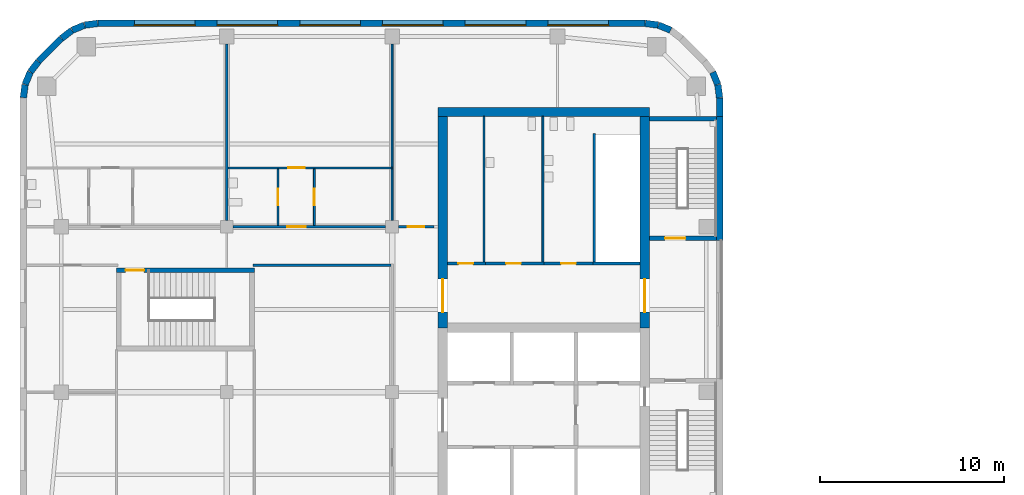
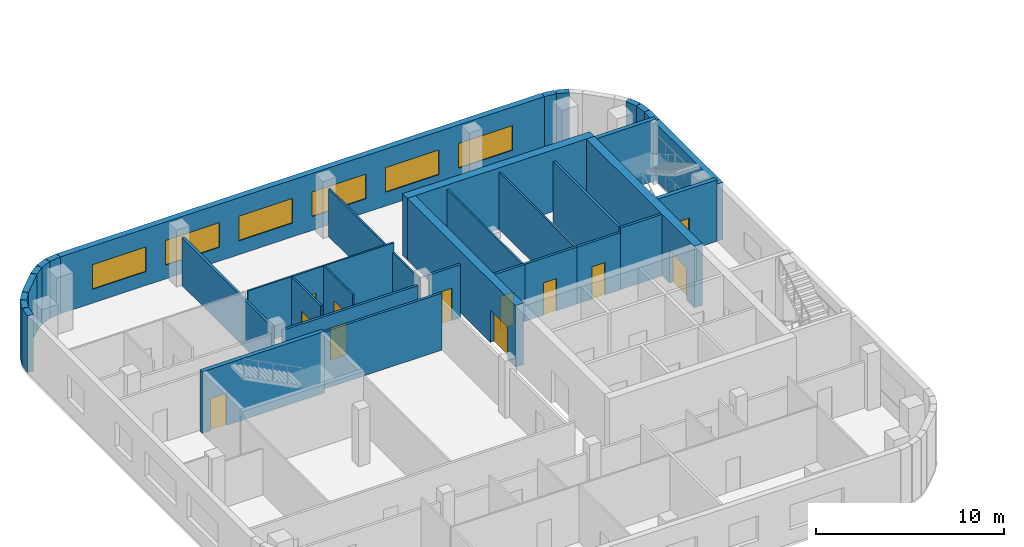
# One storey, part 7 of 15: 36 walls, 12 doors, 6 windows, 18 openings.
"""IFC4 building model written with IfcOpenShell, lengths in metres."""

from ifc_helpers import new_model, si_unit, direction, frame, frame_2d, origin, place, context, subcontext, project, spatial, rectangle, extrude, material, layer, layer_set, type_object, element, fill, save


model = new_model("IFC4")

# Units and contexts
model_context = context("Model", 3, precision=1e-05, world=origin(), true_north=direction((0.0, 1.0)))
body_context = subcontext(model_context, "Body", "Model", "MODEL_VIEW")
ifc_project = project(units=[si_unit("LENGTHUNIT", "METRE"), si_unit("AREAUNIT", "SQUARE_METRE"), si_unit("VOLUMEUNIT", "CUBIC_METRE"), si_unit("PLANEANGLEUNIT", "RADIAN"), si_unit("MASSUNIT", "GRAM", prefix="KILO")], contexts=[model_context])

# Site, building, storey
site_placement = place(None, origin())
site = spatial("IfcSite", under=ifc_project, at=site_placement, CompositionType="ELEMENT")
building_placement = place(site_placement, origin())
building = spatial("IfcBuilding", under=site, at=building_placement, Name="Cinnabar Reach Civic Tower", CompositionType="ELEMENT")
storey_placement = place(building_placement, frame((0.0, 0.0, 91.0)))
storey = spatial("IfcBuildingStorey", under=building, at=storey_placement, Name="L21", CompositionType="ELEMENT", Elevation=91.0)

# Walls
ifc_material_1 = material(Name="Facing brick with insulated backing", Category="masonry")
ifc_layer_1 = layer(ifc_material_1, 0.36)
ifc_layer_set_1 = layer_set([ifc_layer_1], Name="Brick corner wall")
wall_type_1 = type_object("IfcWallType", Name="Brick corner wall", PredefinedType="STANDARD", material=ifc_layer_set_1)
for number, where, z_axis, x_axis, name in (
    (1, (-27.183, 43.0186, 0.0), (0.0, 0.0, 1.0), (-0.13055608231, 0.99144092581, 0.0), "Brick corner wall"),
    (2, (-27.2819, 43.7473, 0.0), (0.0, 0.0, 1.0), (-0.382702709855, 0.923871547278, 0.0), "Brick corner wall"),
    (3, (-29.8439, 46.6952, 0.0), (0.0, 0.0, 1.0), (-0.923871547278, 0.382702709855, 0.0), "Brick corner wall"),
    (4, (-30.5244, 46.9739, 0.0), (0.0, 0.0, 1.0), (-0.99144092581, 0.13055608231, 0.0), "Brick corner wall"),
    (5, (-61.0186, 47.067, 0.0), (0.0, 0.0, 1.0), (-0.99144092581, -0.13055608231, 0.0), "Brick corner wall"),
    (6, (-61.7473, 46.9681, 0.0), (0.0, 0.0, 1.0), (-0.923871547278, -0.382702709855, 0.0), "Brick corner wall"),
):
    element("IfcWall", number, at=place(storey_placement, frame(where, z_axis=z_axis, x_axis=x_axis)), inside=storey, type_object=wall_type_1, Name=name, PredefinedType="STANDARD", context=body_context, shape_type="SweptSolid", body=[
        extrude(rectangle(XDim=0.7131, YDim=0.36, at=frame_2d((0.3565, 0.0))), origin(), (0.0, 0.0, 1.0), 3.7),
    ])
for number, where, z_axis, x_axis, name in (
    (7, (-62.4255, 46.684, 0.0), (0.0, 0.0, 1.0), (-0.793321924995, -0.608802368033, 0.0), "Brick corner wall"),
    (8, (-64.2498, 44.9913, 0.0), (0.0, 0.0, 1.0), (-0.608802368033, -0.793321924995, 0.0), "Brick corner wall"),
):
    element("IfcWall", number, at=place(storey_placement, frame(where, z_axis=z_axis, x_axis=x_axis)), inside=storey, type_object=wall_type_1, Name=name, PredefinedType="STANDARD", context=body_context, shape_type="SweptSolid", body=[
        extrude(rectangle(XDim=0.7132, YDim=0.36, at=frame_2d((0.3566, 0.0))), origin(), (0.0, 0.0, 1.0), 3.7),
    ])
for number, where, z_axis, x_axis, name in (
    (9, (-64.6952, 44.4061, 0.0), (0.0, 0.0, 1.0), (-0.382702709855, -0.923871547278, 0.0), "Brick corner wall"),
    (10, (-64.9739, 43.7256, 0.0), (0.0, 0.0, 1.0), (-0.13055608231, -0.99144092581, 0.0), "Brick corner wall"),
):
    element("IfcWall", number, at=place(storey_placement, frame(where, z_axis=z_axis, x_axis=x_axis)), inside=storey, type_object=wall_type_1, Name=name, PredefinedType="STANDARD", context=body_context, shape_type="SweptSolid", body=[
        extrude(rectangle(XDim=0.7131, YDim=0.36, at=frame_2d((0.3565, 0.0))), origin(), (0.0, 0.0, 1.0), 3.7),
    ])
ifc_layer_2 = layer(ifc_material_1, 0.36)
ifc_layer_set_2 = layer_set([ifc_layer_2], Name="Brick pier and spandrel wall")
wall_type_2 = type_object("IfcWallType", Name="Brick pier and spandrel wall", PredefinedType="STANDARD", material=ifc_layer_set_2)
wall_1_placement = place(storey_placement, frame((-27.18, 35.25, 0.0), z_axis=(0.0, 0.0, 1.0), x_axis=(0.0, 1.0, 0.0)))
element("IfcWall", 11, at=wall_1_placement, inside=storey, type_object=wall_type_2, Name="Brick facade wall", PredefinedType="STANDARD", context=body_context, shape_type="SweptSolid", body=[
    extrude(rectangle(XDim=6.75, YDim=0.36, at=frame_2d((3.375, 0.0))), origin(), (0.0, 0.0, 1.0), 3.7),
])
wall_2_placement = place(storey_placement, frame((-27.18, 42.0, 0.0), z_axis=(0.0, 0.0, 1.0), x_axis=(0.0, 1.0, 0.0)))
element("IfcWall", 12, at=wall_2_placement, inside=storey, type_object=wall_type_2, Name="Brick facade wall", PredefinedType="STANDARD", context=body_context, shape_type="SweptSolid", body=[
    extrude(rectangle(XDim=1.0074, YDim=0.36, at=frame_2d((0.5037, 0.0))), origin(), (0.0, 0.0, 1.0), 3.7),
])

# Wall, openings, windows
wall_3_placement = place(storey_placement, frame((-31.2426, 47.07, 0.0), z_axis=(0.0, 0.0, 1.0), x_axis=(-1.0, 0.0, 0.0)))
wall_3 = element("IfcWall", 13, at=wall_3_placement, inside=storey, type_object=wall_type_2, Name="Brick facade wall", PredefinedType="STANDARD", context=body_context, shape_type="SweptSolid", body=[
    extrude(rectangle(XDim=29.7648, YDim=0.36, at=frame_2d((14.8824, 0.0))), origin(), (0.0, 0.0, 1.0), 3.7),
])
opening_1_placement = place(wall_3_placement, frame((1.9824, 0.0, 0.9)))
opening_1 = element("IfcOpeningElement", 14, at=opening_1_placement, cuts=wall_3, Name="Opening W2643", PredefinedType="OPENING", context=body_context, shape_type="SweptSolid", body=[
    extrude(rectangle(XDim=3.3, YDim=1.6, at=frame_2d((1.65, 0.8))), frame((0.0, 0.19, 0.0), z_axis=(0.0, -1.0, 0.0), x_axis=(1.0, 0.0, 0.0)), (0.0, 0.0, 1.0), 0.38),
])
opening_2_placement = place(wall_3_placement, frame((6.4824, 0.0, 0.9)))
opening_2 = element("IfcOpeningElement", 15, at=opening_2_placement, cuts=wall_3, Name="Opening W2644", PredefinedType="OPENING", context=body_context, shape_type="SweptSolid", body=[
    extrude(rectangle(XDim=3.3, YDim=1.6, at=frame_2d((1.65, 0.8))), frame((0.0, 0.19, 0.0), z_axis=(0.0, -1.0, 0.0), x_axis=(1.0, 0.0, 0.0)), (0.0, 0.0, 1.0), 0.38),
])
opening_3_placement = place(wall_3_placement, frame((10.9824, 0.0, 0.9)))
opening_3 = element("IfcOpeningElement", 16, at=opening_3_placement, cuts=wall_3, Name="Opening W2645", PredefinedType="OPENING", context=body_context, shape_type="SweptSolid", body=[
    extrude(rectangle(XDim=3.3, YDim=1.6, at=frame_2d((1.65, 0.8))), frame((0.0, 0.19, 0.0), z_axis=(0.0, -1.0, 0.0), x_axis=(1.0, 0.0, 0.0)), (0.0, 0.0, 1.0), 0.38),
])
opening_4_placement = place(wall_3_placement, frame((15.4824, 0.0, 0.9)))
opening_4 = element("IfcOpeningElement", 17, at=opening_4_placement, cuts=wall_3, Name="Opening W2646", PredefinedType="OPENING", context=body_context, shape_type="SweptSolid", body=[
    extrude(rectangle(XDim=3.3, YDim=1.6, at=frame_2d((1.65, 0.8))), frame((0.0, 0.19, 0.0), z_axis=(0.0, -1.0, 0.0), x_axis=(1.0, 0.0, 0.0)), (0.0, 0.0, 1.0), 0.38),
])
opening_5_placement = place(wall_3_placement, frame((19.9824, 0.0, 0.9)))
opening_5 = element("IfcOpeningElement", 18, at=opening_5_placement, cuts=wall_3, Name="Opening W2647", PredefinedType="OPENING", context=body_context, shape_type="SweptSolid", body=[
    extrude(rectangle(XDim=3.3, YDim=1.6, at=frame_2d((1.65, 0.8))), frame((0.0, 0.19, 0.0), z_axis=(0.0, -1.0, 0.0), x_axis=(1.0, 0.0, 0.0)), (0.0, 0.0, 1.0), 0.38),
])
opening_6_placement = place(wall_3_placement, frame((24.4824, 0.0, 0.9)))
opening_6 = element("IfcOpeningElement", 19, at=opening_6_placement, cuts=wall_3, Name="Opening W2648", PredefinedType="OPENING", context=body_context, shape_type="SweptSolid", body=[
    extrude(rectangle(XDim=3.3, YDim=1.6, at=frame_2d((1.65, 0.8))), frame((0.0, 0.19, 0.0), z_axis=(0.0, -1.0, 0.0), x_axis=(1.0, 0.0, 0.0)), (0.0, 0.0, 1.0), 0.38),
])
ifc_material_2 = material(Name="Clear double glazing in aluminium frame", Category="aluminium")
window_type = type_object("IfcWindowType", Name="Deep-set window A", PartitioningType="SINGLE_PANEL", PredefinedType="WINDOW", material=ifc_material_2)
window_1_placement = place(opening_1_placement, origin())
window_1 = element("IfcWindow", 20, at=window_1_placement, inside=storey, type_object=window_type, Name="Window north face", OverallHeight=1.6, OverallWidth=3.3, PartitioningType="SINGLE_PANEL", PredefinedType="WINDOW", context=body_context, shape_type="SweptSolid", body=[
    extrude(rectangle(XDim=3.3, YDim=1.6, at=frame_2d((1.65, 0.8))), frame((0.0, 0.13, 0.0), z_axis=(0.0, -1.0, 0.0), x_axis=(1.0, 0.0, 0.0)), (0.0, 0.0, 1.0), 0.06),
])
fill(opening_1, window_1)
window_2_placement = place(opening_2_placement, origin())
window_2 = element("IfcWindow", 21, at=window_2_placement, inside=storey, type_object=window_type, Name="Window north face", OverallHeight=1.6, OverallWidth=3.3, PartitioningType="SINGLE_PANEL", PredefinedType="WINDOW", context=body_context, shape_type="SweptSolid", body=[
    extrude(rectangle(XDim=3.3, YDim=1.6, at=frame_2d((1.65, 0.8))), frame((0.0, 0.13, 0.0), z_axis=(0.0, -1.0, 0.0), x_axis=(1.0, 0.0, 0.0)), (0.0, 0.0, 1.0), 0.06),
])
fill(opening_2, window_2)
window_3_placement = place(opening_3_placement, origin())
window_3 = element("IfcWindow", 22, at=window_3_placement, inside=storey, type_object=window_type, Name="Window north face", OverallHeight=1.6, OverallWidth=3.3, PartitioningType="SINGLE_PANEL", PredefinedType="WINDOW", context=body_context, shape_type="SweptSolid", body=[
    extrude(rectangle(XDim=3.3, YDim=1.6, at=frame_2d((1.65, 0.8))), frame((0.0, 0.13, 0.0), z_axis=(0.0, -1.0, 0.0), x_axis=(1.0, 0.0, 0.0)), (0.0, 0.0, 1.0), 0.06),
])
fill(opening_3, window_3)
window_4_placement = place(opening_4_placement, origin())
window_4 = element("IfcWindow", 23, at=window_4_placement, inside=storey, type_object=window_type, Name="Window north face", OverallHeight=1.6, OverallWidth=3.3, PartitioningType="SINGLE_PANEL", PredefinedType="WINDOW", context=body_context, shape_type="SweptSolid", body=[
    extrude(rectangle(XDim=3.3, YDim=1.6, at=frame_2d((1.65, 0.8))), frame((0.0, 0.13, 0.0), z_axis=(0.0, -1.0, 0.0), x_axis=(1.0, 0.0, 0.0)), (0.0, 0.0, 1.0), 0.06),
])
fill(opening_4, window_4)
window_5_placement = place(opening_5_placement, origin())
window_5 = element("IfcWindow", 24, at=window_5_placement, inside=storey, type_object=window_type, Name="Window north face", OverallHeight=1.6, OverallWidth=3.3, PartitioningType="SINGLE_PANEL", PredefinedType="WINDOW", context=body_context, shape_type="SweptSolid", body=[
    extrude(rectangle(XDim=3.3, YDim=1.6, at=frame_2d((1.65, 0.8))), frame((0.0, 0.13, 0.0), z_axis=(0.0, -1.0, 0.0), x_axis=(1.0, 0.0, 0.0)), (0.0, 0.0, 1.0), 0.06),
])
fill(opening_5, window_5)
window_6_placement = place(opening_6_placement, origin())
window_6 = element("IfcWindow", 25, at=window_6_placement, inside=storey, type_object=window_type, Name="Window north face", OverallHeight=1.6, OverallWidth=3.3, PartitioningType="SINGLE_PANEL", PredefinedType="WINDOW", context=body_context, shape_type="SweptSolid", body=[
    extrude(rectangle(XDim=3.3, YDim=1.6, at=frame_2d((1.65, 0.8))), frame((0.0, 0.13, 0.0), z_axis=(0.0, -1.0, 0.0), x_axis=(1.0, 0.0, 0.0)), (0.0, 0.0, 1.0), 0.06),
])
fill(opening_6, window_6)

# Walls
wall_4_placement = place(storey_placement, frame((-63.0014, 46.244, 0.0), z_axis=(0.0, 0.0, 1.0), x_axis=(-0.707106781187, -0.707106781187, 0.0)))
element("IfcWall", 26, at=wall_4_placement, inside=storey, type_object=wall_type_2, Name="Brick facade wall", PredefinedType="STANDARD", context=body_context, shape_type="SweptSolid", body=[
    extrude(rectangle(XDim=1.7573, YDim=0.36, at=frame_2d((0.8787, 0.0))), origin(), (0.0, 0.0, 1.0), 3.7),
])
ifc_material_3 = material(Name="Concrete C60", Category="concrete")
ifc_layer_3 = layer(ifc_material_3, 0.5)
ifc_layer_set_3 = layer_set([ifc_layer_3], Name="Core wall 500 EI 180")
wall_type_3 = type_object("IfcWallType", Name="Core wall 500 EI 180", PredefinedType="SOLIDWALL", material=ifc_layer_set_3)
wall_5_placement = place(storey_placement, frame((-31.0, 42.25, 0.0), z_axis=(0.0, 0.0, 1.0), x_axis=(-1.0, 0.0, 0.0)))
element("IfcWall", 27, at=wall_5_placement, inside=storey, type_object=wall_type_3, Name="Core wall T2 L21 N", PredefinedType="SOLIDWALL", context=body_context, shape_type="SweptSolid", body=[
    extrude(rectangle(XDim=11.5, YDim=0.5, at=frame_2d((5.75, 0.0))), origin(), (0.0, 0.0, 1.0), 4.0),
])

# Wall, opening, door
wall_6_placement = place(storey_placement, frame((-31.25, 30.5, 0.0), z_axis=(0.0, 0.0, 1.0), x_axis=(0.0, 1.0, 0.0)))
wall_6 = element("IfcWall", 28, at=wall_6_placement, inside=storey, type_object=wall_type_3, Name="Core wall T2 L21 E2", PredefinedType="SOLIDWALL", context=body_context, shape_type="SweptSolid", body=[
    extrude(rectangle(XDim=11.5, YDim=0.5, at=frame_2d((5.75, 0.0))), origin(), (0.0, 0.0, 1.0), 4.0),
])
opening_7_placement = place(wall_6_placement, frame((0.85, 0.0, 0.0)))
opening_7 = element("IfcOpeningElement", 29, at=opening_7_placement, cuts=wall_6, Name="Opening D6796", PredefinedType="OPENING", context=body_context, shape_type="SweptSolid", body=[
    extrude(rectangle(XDim=1.8, YDim=2.1, at=frame_2d((0.9, 1.05))), frame((0.0, 0.26, 0.0), z_axis=(0.0, -1.0, 0.0), x_axis=(1.0, 0.0, 0.0)), (0.0, 0.0, 1.0), 0.52),
])
ifc_material_4 = material(Name="Steel fire door", Category="steel")
door_type_1 = type_object("IfcDoorType", Name="T2 Double door 1800", OperationType="DOUBLE_DOOR_SINGLE_SWING", PredefinedType="DOOR", material=ifc_material_4)
door_1_placement = place(opening_7_placement, origin())
door_1 = element("IfcDoor", 30, at=door_1_placement, inside=storey, type_object=door_type_1, Name="T2 Double door D6796", OperationType="DOUBLE_DOOR_SINGLE_SWING", OverallHeight=2.1, OverallWidth=1.8, PredefinedType="DOOR", context=body_context, shape_type="SweptSolid", body=[
    extrude(rectangle(XDim=1.8, YDim=2.1, at=frame_2d((0.9, 1.05))), frame((0.0, 0.025, 0.0), z_axis=(0.0, -1.0, 0.0), x_axis=(1.0, 0.0, 0.0)), (0.0, 0.0, 1.0), 0.05),
])
fill(opening_7, door_1)

wall_7_placement = place(storey_placement, frame((-42.25, 42.0, 0.0), z_axis=(0.0, 0.0, 1.0), x_axis=(0.0, -1.0, 0.0)))
wall_7 = element("IfcWall", 31, at=wall_7_placement, inside=storey, type_object=wall_type_3, Name="Core wall T2 L21 W", PredefinedType="SOLIDWALL", context=body_context, shape_type="SweptSolid", body=[
    extrude(rectangle(XDim=11.5, YDim=0.5, at=frame_2d((5.75, 0.0))), origin(), (0.0, 0.0, 1.0), 4.0),
])
opening_8_placement = place(wall_7_placement, frame((8.85, 0.0, 0.0)))
opening_8 = element("IfcOpeningElement", 32, at=opening_8_placement, cuts=wall_7, Name="Opening D6798", PredefinedType="OPENING", context=body_context, shape_type="SweptSolid", body=[
    extrude(rectangle(XDim=1.8, YDim=2.1, at=frame_2d((0.9, 1.05))), frame((0.0, 0.26, 0.0), z_axis=(0.0, -1.0, 0.0), x_axis=(1.0, 0.0, 0.0)), (0.0, 0.0, 1.0), 0.52),
])
door_2_placement = place(opening_8_placement, frame((1.8, 0.0, 0.0), z_axis=(0.0, 0.0, 1.0), x_axis=(-1.0, 0.0, 0.0)))
door_2 = element("IfcDoor", 33, at=door_2_placement, inside=storey, type_object=door_type_1, Name="T2 Double door D6798", OperationType="DOUBLE_DOOR_SINGLE_SWING", OverallHeight=2.1, OverallWidth=1.8, PredefinedType="DOOR", context=body_context, shape_type="SweptSolid", body=[
    extrude(rectangle(XDim=1.8, YDim=2.1, at=frame_2d((0.9, 1.05))), frame((0.0, 0.025, 0.0), z_axis=(0.0, -1.0, 0.0), x_axis=(1.0, 0.0, 0.0)), (0.0, 0.0, 1.0), 0.05),
])
fill(opening_8, door_2)

ifc_material_5 = material(Name="Gypsum board on steel studs, double layer", Category="steel")
ifc_layer_4 = layer(ifc_material_5, 0.15)
ifc_layer_set_4 = layer_set([ifc_layer_4], Name="Corridor wall 150 T2")
wall_type_4 = type_object("IfcWallType", Name="Corridor wall 150 T2", PredefinedType="PARTITIONING", material=ifc_layer_set_4)
wall_8_placement = place(storey_placement, frame((-44.65, 36.0, 0.0), z_axis=(0.0, 0.0, 1.0), x_axis=(1.0, 0.0, 0.0)))
wall_8 = element("IfcWall", 34, at=wall_8_placement, inside=storey, type_object=wall_type_4, Name="Corridor wall 5", PredefinedType="PARTITIONING", context=body_context, shape_type="SweptSolid", body=[
    extrude(rectangle(XDim=1.925, YDim=0.15, at=frame_2d((0.9625, 0.0))), origin(), (0.0, 0.0, 1.0), 3.452),
])
opening_9_placement = place(wall_8_placement, frame((0.5, 0.0, 0.0)))
opening_9 = element("IfcOpeningElement", 35, at=opening_9_placement, cuts=wall_8, Name="Opening D6802", PredefinedType="OPENING", context=body_context, shape_type="SweptSolid", body=[
    extrude(rectangle(XDim=0.9, YDim=2.1, at=frame_2d((0.45, 1.05))), frame((0.0, 0.085, 0.0), z_axis=(0.0, -1.0, 0.0), x_axis=(1.0, 0.0, 0.0)), (0.0, 0.0, 1.0), 0.17),
])
ifc_material_6 = material(Name="Timber door leaf in steel frame", Category="steel")
door_type_2 = type_object("IfcDoorType", Name="Single swing door 900 x 2100 T2", OperationType="SINGLE_SWING_LEFT", PredefinedType="DOOR", material=ifc_material_6)
door_3_placement = place(opening_9_placement, origin())
door_3 = element("IfcDoor", 36, at=door_3_placement, inside=storey, type_object=door_type_2, Name="Door D6802", OperationType="SINGLE_SWING_LEFT", OverallHeight=2.1, OverallWidth=0.9, PredefinedType="DOOR", context=body_context, shape_type="SweptSolid", body=[
    extrude(rectangle(XDim=0.9, YDim=2.1, at=frame_2d((0.45, 1.05))), frame((0.0, 0.025, 0.0), z_axis=(0.0, -1.0, 0.0), x_axis=(1.0, 0.0, 0.0)), (0.0, 0.0, 1.0), 0.05),
])
fill(opening_9, door_3)

wall_9_placement = place(storey_placement, frame((-53.65, 36.0, 0.0), z_axis=(0.0, 0.0, 1.0), x_axis=(1.0, 0.0, 0.0)))
wall_9 = element("IfcWall", 37, at=wall_9_placement, inside=storey, type_object=wall_type_4, Name="Corridor wall 6", PredefinedType="PARTITIONING", context=body_context, shape_type="SweptSolid", body=[
    extrude(rectangle(XDim=8.3, YDim=0.15, at=frame_2d((4.15, 0.0))), origin(), (0.0, 0.0, 1.0), 3.008),
])
opening_10_placement = place(wall_9_placement, frame((2.94, 0.0, 0.0)))
opening_10 = element("IfcOpeningElement", 38, at=opening_10_placement, cuts=wall_9, Name="Opening D6821", PredefinedType="OPENING", context=body_context, shape_type="SweptSolid", body=[
    extrude(rectangle(XDim=1.0, YDim=2.1, at=frame_2d((0.5, 1.05))), frame((0.0, 0.085, 0.0), z_axis=(0.0, -1.0, 0.0), x_axis=(1.0, 0.0, 0.0)), (0.0, 0.0, 1.0), 0.17),
])
door_type_3 = type_object("IfcDoorType", Name="Tenancy entrance door 1000 x 2100 T2", OperationType="SINGLE_SWING_LEFT", PredefinedType="DOOR", material=ifc_material_6)
door_4_placement = place(opening_10_placement, origin())
door_4 = element("IfcDoor", 39, at=door_4_placement, inside=storey, type_object=door_type_3, Name="Door D6821", OperationType="SINGLE_SWING_RIGHT", OverallHeight=2.1, OverallWidth=1.0, PredefinedType="DOOR", context=body_context, shape_type="SweptSolid", body=[
    extrude(rectangle(XDim=1.0, YDim=2.1, at=frame_2d((0.5, 1.05))), frame((0.0, 0.025, 0.0), z_axis=(0.0, -1.0, 0.0), x_axis=(1.0, 0.0, 0.0)), (0.0, 0.0, 1.0), 0.05),
])
fill(opening_10, door_4)

# Wall
wall_10_placement = place(storey_placement, frame((-52.575, 33.9, 0.0), z_axis=(0.0, 0.0, 1.0), x_axis=(1.0, 0.0, 0.0)))
element("IfcWall", 40, at=wall_10_placement, inside=storey, type_object=wall_type_4, Name="Corridor wall 12", PredefinedType="PARTITIONING", context=body_context, shape_type="SweptSolid", body=[
    extrude(rectangle(XDim=7.5, YDim=0.15, at=frame_2d((3.75, 0.0))), origin(), (0.0, 0.0, 1.0), 3.7),
])

# Wall, opening, door
ifc_material_7 = material(Name="Gypsum board on steel studs", Category="steel")
ifc_layer_5 = layer(ifc_material_7, 0.1)
ifc_layer_set_5 = layer_set([ifc_layer_5], Name="Partition wall 100 T2")
wall_type_5 = type_object("IfcWallType", Name="Partition wall 100 T2", PredefinedType="PARTITIONING", material=ifc_layer_set_5)
wall_11_placement = place(storey_placement, frame((-53.925, 39.2, 0.0), z_axis=(0.0, 0.0, 1.0), x_axis=(1.0, 0.0, 0.0)))
wall_11 = element("IfcWall", 41, at=wall_11_placement, inside=storey, type_object=wall_type_5, Name="Partition wall 18", PredefinedType="PARTITIONING", context=body_context, shape_type="SweptSolid", body=[
    extrude(rectangle(XDim=8.975, YDim=0.1, at=frame_2d((4.4875, 0.0))), origin(), (0.0, 0.0, 1.0), 3.7),
])
opening_11_placement = place(wall_11_placement, frame((3.265, 0.0, 0.0)))
opening_11 = element("IfcOpeningElement", 42, at=opening_11_placement, cuts=wall_11, Name="Opening D6820", PredefinedType="OPENING", context=body_context, shape_type="SweptSolid", body=[
    extrude(rectangle(XDim=0.9, YDim=2.1, at=frame_2d((0.45, 1.05))), frame((0.0, 0.06, 0.0), z_axis=(0.0, -1.0, 0.0), x_axis=(1.0, 0.0, 0.0)), (0.0, 0.0, 1.0), 0.12),
])
door_5_placement = place(opening_11_placement, frame((0.9, 0.0, 0.0), z_axis=(0.0, 0.0, 1.0), x_axis=(-1.0, 0.0, 0.0)))
door_5 = element("IfcDoor", 43, at=door_5_placement, inside=storey, type_object=door_type_2, Name="Door D6820", OperationType="SINGLE_SWING_LEFT", OverallHeight=2.1, OverallWidth=0.9, PredefinedType="DOOR", context=body_context, shape_type="SweptSolid", body=[
    extrude(rectangle(XDim=0.9, YDim=2.1, at=frame_2d((0.45, 1.05))), frame((0.0, 0.025, 0.0), z_axis=(0.0, -1.0, 0.0), x_axis=(1.0, 0.0, 0.0)), (0.0, 0.0, 1.0), 0.05),
])
fill(opening_11, door_5)

# Walls
wall_12_placement = place(storey_placement, frame((-45.0, 39.25, 0.0), z_axis=(0.0, 0.0, 1.0), x_axis=(0.0, 1.0, 0.0)))
element("IfcWall", 44, at=wall_12_placement, inside=storey, type_object=wall_type_5, Name="Partition wall 20", PredefinedType="PARTITIONING", context=body_context, shape_type="SweptSolid", body=[
    extrude(rectangle(XDim=6.7, YDim=0.1, at=frame_2d((3.35, 0.0))), origin(), (0.0, 0.0, 1.0), 3.106),
])
wall_13_placement = place(storey_placement, frame((-45.0, 36.35, 0.0), z_axis=(0.0, 0.0, 1.0), x_axis=(0.0, 1.0, 0.0)))
element("IfcWall", 45, at=wall_13_placement, inside=storey, type_object=wall_type_5, Name="Partition wall 21", PredefinedType="PARTITIONING", context=body_context, shape_type="SweptSolid", body=[
    extrude(rectangle(XDim=2.8, YDim=0.1, at=frame_2d((1.4, 0.0))), origin(), (0.0, 0.0, 1.0), 3.106),
])

# Wall, opening, door
wall_14_placement = place(storey_placement, frame((-51.21, 36.075, 0.0), z_axis=(0.0, 0.0, 1.0), x_axis=(0.0, 1.0, 0.0)))
wall_14 = element("IfcWall", 46, at=wall_14_placement, inside=storey, type_object=wall_type_5, Name="Partition wall 34", PredefinedType="PARTITIONING", context=body_context, shape_type="SweptSolid", body=[
    extrude(rectangle(XDim=3.075, YDim=0.1, at=frame_2d((1.5375, 0.0))), origin(), (0.0, 0.0, 1.0), 3.7),
])
opening_12_placement = place(wall_14_placement, frame((1.1, 0.0, 0.0)))
opening_12 = element("IfcOpeningElement", 47, at=opening_12_placement, cuts=wall_14, Name="Opening D6818", PredefinedType="OPENING", context=body_context, shape_type="SweptSolid", body=[
    extrude(rectangle(XDim=0.9, YDim=2.1, at=frame_2d((0.45, 1.05))), frame((0.0, 0.06, 0.0), z_axis=(0.0, -1.0, 0.0), x_axis=(1.0, 0.0, 0.0)), (0.0, 0.0, 1.0), 0.12),
])
door_6_placement = place(opening_12_placement, origin())
door_6 = element("IfcDoor", 48, at=door_6_placement, inside=storey, type_object=door_type_2, Name="Door D6818", OperationType="SINGLE_SWING_LEFT", OverallHeight=2.1, OverallWidth=0.9, PredefinedType="DOOR", context=body_context, shape_type="SweptSolid", body=[
    extrude(rectangle(XDim=0.9, YDim=2.1, at=frame_2d((0.45, 1.05))), frame((0.0, 0.025, 0.0), z_axis=(0.0, -1.0, 0.0), x_axis=(1.0, 0.0, 0.0)), (0.0, 0.0, 1.0), 0.05),
])
fill(opening_12, door_6)

wall_15_placement = place(storey_placement, frame((-49.23, 36.075, 0.0), z_axis=(0.0, 0.0, 1.0), x_axis=(0.0, 1.0, 0.0)))
wall_15 = element("IfcWall", 49, at=wall_15_placement, inside=storey, type_object=wall_type_5, Name="Partition wall 35", PredefinedType="PARTITIONING", context=body_context, shape_type="SweptSolid", body=[
    extrude(rectangle(XDim=3.075, YDim=0.1, at=frame_2d((1.5375, 0.0))), origin(), (0.0, 0.0, 1.0), 3.7),
])
opening_13_placement = place(wall_15_placement, frame((1.1, 0.0, 0.0)))
opening_13 = element("IfcOpeningElement", 50, at=opening_13_placement, cuts=wall_15, Name="Opening D6819", PredefinedType="OPENING", context=body_context, shape_type="SweptSolid", body=[
    extrude(rectangle(XDim=0.9, YDim=2.1, at=frame_2d((0.45, 1.05))), frame((0.0, 0.06, 0.0), z_axis=(0.0, -1.0, 0.0), x_axis=(1.0, 0.0, 0.0)), (0.0, 0.0, 1.0), 0.12),
])
door_7_placement = place(opening_13_placement, origin())
door_7 = element("IfcDoor", 51, at=door_7_placement, inside=storey, type_object=door_type_2, Name="Door D6819", OperationType="SINGLE_SWING_LEFT", OverallHeight=2.1, OverallWidth=0.9, PredefinedType="DOOR", context=body_context, shape_type="SweptSolid", body=[
    extrude(rectangle(XDim=0.9, YDim=2.1, at=frame_2d((0.45, 1.05))), frame((0.0, 0.025, 0.0), z_axis=(0.0, -1.0, 0.0), x_axis=(1.0, 0.0, 0.0)), (0.0, 0.0, 1.0), 0.05),
])
fill(opening_13, door_7)

ifc_layer_6 = layer(ifc_material_3, 0.25)
ifc_layer_set_6 = layer_set([ifc_layer_6], Name="Stair shaft wall 250 EI 120")
wall_type_6 = type_object("IfcWallType", Name="Stair shaft wall 250 EI 120", PredefinedType="SOLIDWALL", material=ifc_layer_set_6)
wall_16_placement = place(storey_placement, frame((-31.0, 35.375, 0.0), z_axis=(0.0, 0.0, 1.0), x_axis=(1.0, 0.0, 0.0)))
wall_16 = element("IfcWall", 52, at=wall_16_placement, inside=storey, type_object=wall_type_6, Name="Stair shaft wall T2-S2 L21", PredefinedType="SOLIDWALL", context=body_context, shape_type="SweptSolid", body=[
    extrude(rectangle(XDim=3.64, YDim=0.25, at=frame_2d((1.82, 0.0))), origin(), (0.0, 0.0, 1.0), 4.0),
])
opening_14_placement = place(wall_16_placement, frame((0.85, 0.0, 0.0)))
opening_14 = element("IfcOpeningElement", 53, at=opening_14_placement, cuts=wall_16, Name="Opening D6795", PredefinedType="OPENING", context=body_context, shape_type="SweptSolid", body=[
    extrude(rectangle(XDim=1.1, YDim=2.1, at=frame_2d((0.55, 1.05))), frame((0.0, 0.135, 0.0), z_axis=(0.0, -1.0, 0.0), x_axis=(1.0, 0.0, 0.0)), (0.0, 0.0, 1.0), 0.27),
])
door_type_4 = type_object("IfcDoorType", Name="T2 Stair door 1100", OperationType="SINGLE_SWING_LEFT", PredefinedType="DOOR", material=ifc_material_4)
door_8_placement = place(opening_14_placement, origin())
door_8 = element("IfcDoor", 54, at=door_8_placement, inside=storey, type_object=door_type_4, Name="T2 Stair door D6795", OperationType="SINGLE_SWING_RIGHT", OverallHeight=2.1, OverallWidth=1.1, PredefinedType="DOOR", context=body_context, shape_type="SweptSolid", body=[
    extrude(rectangle(XDim=1.1, YDim=2.1, at=frame_2d((0.55, 1.05))), frame((0.0, 0.025, 0.0), z_axis=(0.0, -1.0, 0.0), x_axis=(1.0, 0.0, 0.0)), (0.0, 0.0, 1.0), 0.05),
])
fill(opening_14, door_8)

# Wall
wall_17_placement = place(storey_placement, frame((-27.36, 41.875, 0.0), z_axis=(0.0, 0.0, 1.0), x_axis=(-1.0, 0.0, 0.0)))
element("IfcWall", 55, at=wall_17_placement, inside=storey, type_object=wall_type_6, Name="Stair shaft wall T2-S2 L21", PredefinedType="SOLIDWALL", context=body_context, shape_type="SweptSolid", body=[
    extrude(rectangle(XDim=3.64, YDim=0.25, at=frame_2d((1.82, 0.0))), origin(), (0.0, 0.0, 1.0), 4.0),
])

# Wall, opening, door
wall_18_placement = place(storey_placement, frame((-52.5, 33.625, 0.0), z_axis=(0.0, 0.0, 1.0), x_axis=(-1.0, 0.0, 0.0)))
wall_18 = element("IfcWall", 56, at=wall_18_placement, inside=storey, type_object=wall_type_6, Name="Stair shaft wall T2-S3 L21", PredefinedType="SOLIDWALL", context=body_context, shape_type="SweptSolid", body=[
    extrude(rectangle(XDim=7.5, YDim=0.25, at=frame_2d((3.75, 0.0))), origin(), (0.0, 0.0, 1.0), 4.0),
])
opening_15_placement = place(wall_18_placement, frame((6.0, 0.0, 0.0)))
opening_15 = element("IfcOpeningElement", 57, at=opening_15_placement, cuts=wall_18, Name="Opening D6826", PredefinedType="OPENING", context=body_context, shape_type="SweptSolid", body=[
    extrude(rectangle(XDim=1.0, YDim=2.1, at=frame_2d((0.5, 1.05))), frame((0.0, 0.135, 0.0), z_axis=(0.0, -1.0, 0.0), x_axis=(1.0, 0.0, 0.0)), (0.0, 0.0, 1.0), 0.27),
])
door_type_5 = type_object("IfcDoorType", Name="Stair door 1000 x 2100 T2", OperationType="SINGLE_SWING_LEFT", PredefinedType="DOOR", material=ifc_material_6)
door_9_placement = place(opening_15_placement, origin())
door_9 = element("IfcDoor", 58, at=door_9_placement, inside=storey, type_object=door_type_5, Name="Door D6826", OperationType="SINGLE_SWING_RIGHT", OverallHeight=2.1, OverallWidth=1.0, PredefinedType="DOOR", context=body_context, shape_type="SweptSolid", body=[
    extrude(rectangle(XDim=1.0, YDim=2.1, at=frame_2d((0.5, 1.05))), frame((0.0, 0.025, 0.0), z_axis=(0.0, -1.0, 0.0), x_axis=(1.0, 0.0, 0.0)), (0.0, 0.0, 1.0), 0.05),
])
fill(opening_15, door_9)

ifc_material_8 = material(Name="Masonry block partition", Category="masonry")
ifc_layer_7 = layer(ifc_material_8, 0.15)
ifc_layer_set_7 = layer_set([ifc_layer_7], Name="T2 Corridor wall 150")
wall_type_7 = type_object("IfcWallType", Name="T2 Corridor wall 150", PredefinedType="PARTITIONING", material=ifc_layer_set_7)
wall_19_placement = place(storey_placement, frame((-39.925, 34.0, 0.0), z_axis=(0.0, 0.0, 1.0), x_axis=(-1.0, 0.0, 0.0)))
wall_19 = element("IfcWall", 59, at=wall_19_placement, inside=storey, type_object=wall_type_7, Name="T2 Corridor wall L21 014", PredefinedType="PARTITIONING", context=body_context, shape_type="SweptSolid", body=[
    extrude(rectangle(XDim=2.075, YDim=0.15, at=frame_2d((1.0375, 0.0))), origin(), (0.0, 0.0, 1.0), 3.7),
])
opening_16_placement = place(wall_19_placement, frame((0.675, 0.0, 0.0)))
opening_16 = element("IfcOpeningElement", 60, at=opening_16_placement, cuts=wall_19, Name="Opening D6799", PredefinedType="OPENING", context=body_context, shape_type="SweptSolid", body=[
    extrude(rectangle(XDim=0.8, YDim=2.1, at=frame_2d((0.4, 1.05))), frame((0.0, 0.085, 0.0), z_axis=(0.0, -1.0, 0.0), x_axis=(1.0, 0.0, 0.0)), (0.0, 0.0, 1.0), 0.17),
])
ifc_material_9 = material(Name="Timber door leaf", Category="wood")
door_type_6 = type_object("IfcDoorType", Name="T2 Bathroom door 800", OperationType="SINGLE_SWING_LEFT", PredefinedType="DOOR", material=ifc_material_9)
door_10_placement = place(opening_16_placement, frame((0.8, 0.0, 0.0), z_axis=(0.0, 0.0, 1.0), x_axis=(-1.0, 0.0, 0.0)))
door_10 = element("IfcDoor", 61, at=door_10_placement, inside=storey, type_object=door_type_6, Name="T2 Bathroom door D6799", OperationType="SINGLE_SWING_LEFT", OverallHeight=2.1, OverallWidth=0.8, PredefinedType="DOOR", context=body_context, shape_type="SweptSolid", body=[
    extrude(rectangle(XDim=0.8, YDim=2.1, at=frame_2d((0.4, 1.05))), frame((0.0, 0.025, 0.0), z_axis=(0.0, -1.0, 0.0), x_axis=(1.0, 0.0, 0.0)), (0.0, 0.0, 1.0), 0.05),
])
fill(opening_16, door_10)

wall_20_placement = place(storey_placement, frame((-36.725, 34.0, 0.0), z_axis=(0.0, 0.0, 1.0), x_axis=(-1.0, 0.0, 0.0)))
wall_20 = element("IfcWall", 62, at=wall_20_placement, inside=storey, type_object=wall_type_7, Name="T2 Corridor wall L21 015", PredefinedType="PARTITIONING", context=body_context, shape_type="SweptSolid", body=[
    extrude(rectangle(XDim=3.2, YDim=0.15, at=frame_2d((1.6, 0.0))), origin(), (0.0, 0.0, 1.0), 3.7),
])
opening_17_placement = place(wall_20_placement, frame((1.275, 0.0, 0.0)))
opening_17 = element("IfcOpeningElement", 63, at=opening_17_placement, cuts=wall_20, Name="Opening D6800", PredefinedType="OPENING", context=body_context, shape_type="SweptSolid", body=[
    extrude(rectangle(XDim=0.8, YDim=2.1, at=frame_2d((0.4, 1.05))), frame((0.0, 0.085, 0.0), z_axis=(0.0, -1.0, 0.0), x_axis=(1.0, 0.0, 0.0)), (0.0, 0.0, 1.0), 0.17),
])
door_11_placement = place(opening_17_placement, frame((0.8, 0.0, 0.0), z_axis=(0.0, 0.0, 1.0), x_axis=(-1.0, 0.0, 0.0)))
door_11 = element("IfcDoor", 64, at=door_11_placement, inside=storey, type_object=door_type_6, Name="T2 Bathroom door D6800", OperationType="SINGLE_SWING_LEFT", OverallHeight=2.1, OverallWidth=0.8, PredefinedType="DOOR", context=body_context, shape_type="SweptSolid", body=[
    extrude(rectangle(XDim=0.8, YDim=2.1, at=frame_2d((0.4, 1.05))), frame((0.0, 0.025, 0.0), z_axis=(0.0, -1.0, 0.0), x_axis=(1.0, 0.0, 0.0)), (0.0, 0.0, 1.0), 0.05),
])
fill(opening_17, door_11)

wall_21_placement = place(storey_placement, frame((-34.075, 34.0, 0.0), z_axis=(0.0, 0.0, 1.0), x_axis=(-1.0, 0.0, 0.0)))
wall_21 = element("IfcWall", 65, at=wall_21_placement, inside=storey, type_object=wall_type_7, Name="T2 Corridor wall L21 016", PredefinedType="PARTITIONING", context=body_context, shape_type="SweptSolid", body=[
    extrude(rectangle(XDim=2.65, YDim=0.15, at=frame_2d((1.325, 0.0))), origin(), (0.0, 0.0, 1.0), 3.7),
])
opening_18_placement = place(wall_21_placement, frame((0.925, 0.0, 0.0)))
opening_18 = element("IfcOpeningElement", 66, at=opening_18_placement, cuts=wall_21, Name="Opening D6801", PredefinedType="OPENING", context=body_context, shape_type="SweptSolid", body=[
    extrude(rectangle(XDim=0.8, YDim=2.1, at=frame_2d((0.4, 1.05))), frame((0.0, 0.085, 0.0), z_axis=(0.0, -1.0, 0.0), x_axis=(1.0, 0.0, 0.0)), (0.0, 0.0, 1.0), 0.17),
])
door_12_placement = place(opening_18_placement, frame((0.8, 0.0, 0.0), z_axis=(0.0, 0.0, 1.0), x_axis=(-1.0, 0.0, 0.0)))
door_12 = element("IfcDoor", 67, at=door_12_placement, inside=storey, type_object=door_type_6, Name="T2 Bathroom door D6801", OperationType="SINGLE_SWING_LEFT", OverallHeight=2.1, OverallWidth=0.8, PredefinedType="DOOR", context=body_context, shape_type="SweptSolid", body=[
    extrude(rectangle(XDim=0.8, YDim=2.1, at=frame_2d((0.4, 1.05))), frame((0.0, 0.025, 0.0), z_axis=(0.0, -1.0, 0.0), x_axis=(1.0, 0.0, 0.0)), (0.0, 0.0, 1.0), 0.05),
])
fill(opening_18, door_12)

# Walls
ifc_material_10 = material(Name="Gypsum board partition")
ifc_layer_8 = layer(ifc_material_10, 0.1)
ifc_layer_set_8 = layer_set([ifc_layer_8], Name="T2 Internal partition 100")
wall_type_8 = type_object("IfcWallType", Name="T2 Internal partition 100", PredefinedType="PARTITIONING", material=ifc_layer_set_8)
for number, where, z_axis, x_axis, name in (
    (68, (-40.0, 34.075, 0.0), (0.0, 0.0, 1.0), (0.0, 1.0, 0.0), "T2 Internal partition L21 017"),
    (69, (-36.8, 34.075, 0.0), (0.0, 0.0, 1.0), (0.0, 1.0, 0.0), "T2 Internal partition L21 018"),
):
    element("IfcWall", number, at=place(storey_placement, frame(where, z_axis=z_axis, x_axis=x_axis)), inside=storey, type_object=wall_type_8, Name=name, PredefinedType="PARTITIONING", context=body_context, shape_type="SweptSolid", body=[
        extrude(rectangle(XDim=7.925, YDim=0.1, at=frame_2d((3.9625, 0.0))), origin(), (0.0, 0.0, 1.0), 3.7),
    ])
ifc_material_11 = material(Name="Concrete C40", Category="concrete")
ifc_layer_9 = layer(ifc_material_11, 0.15)
ifc_layer_set_9 = layer_set([ifc_layer_9], Name="T2 Riser wall 150")
wall_type_9 = type_object("IfcWallType", Name="T2 Riser wall 150", PredefinedType="SOLIDWALL", material=ifc_layer_set_9)
wall_22_placement = place(storey_placement, frame((-34.075, 34.0, 0.0), z_axis=(0.0, 0.0, 1.0), x_axis=(1.0, 0.0, 0.0)))
element("IfcWall", 70, at=wall_22_placement, inside=storey, type_object=wall_type_9, Name="T2 Riser wall L21 012", PredefinedType="SOLIDWALL", context=body_context, shape_type="SweptSolid", body=[
    extrude(rectangle(XDim=2.575, YDim=0.15, at=frame_2d((1.2875, 0.0))), origin(), (0.0, 0.0, 1.0), 4.0),
])
wall_23_placement = place(storey_placement, frame((-34.0, 41.075, 0.0), z_axis=(0.0, 0.0, 1.0), x_axis=(0.0, -1.0, 0.0)))
element("IfcWall", 71, at=wall_23_placement, inside=storey, type_object=wall_type_9, Name="T2 Riser wall L21 013", PredefinedType="SOLIDWALL", context=body_context, shape_type="SweptSolid", body=[
    extrude(rectangle(XDim=7.0, YDim=0.15, at=frame_2d((3.5, 0.0))), origin(), (0.0, 0.0, 1.0), 4.0),
])
ifc_layer_10 = layer(ifc_material_5, 0.15)
ifc_layer_set_10 = layer_set([ifc_layer_10], Name="Tenancy separating wall 150 T2")
wall_type_10 = type_object("IfcWallType", Name="Tenancy separating wall 150 T2", PredefinedType="PARTITIONING", material=ifc_layer_set_10)
wall_24_placement = place(storey_placement, frame((-54.0, 36.35, 0.0), z_axis=(0.0, 0.0, 1.0), x_axis=(0.0, 1.0, 0.0)))
element("IfcWall", 72, at=wall_24_placement, inside=storey, type_object=wall_type_10, Name="Tenancy separating wall 14", PredefinedType="PARTITIONING", context=body_context, shape_type="SweptSolid", body=[
    extrude(rectangle(XDim=9.6, YDim=0.15, at=frame_2d((4.8, 0.0))), origin(), (0.0, 0.0, 1.0), 3.106),
])

save(model, "model.ifc")
